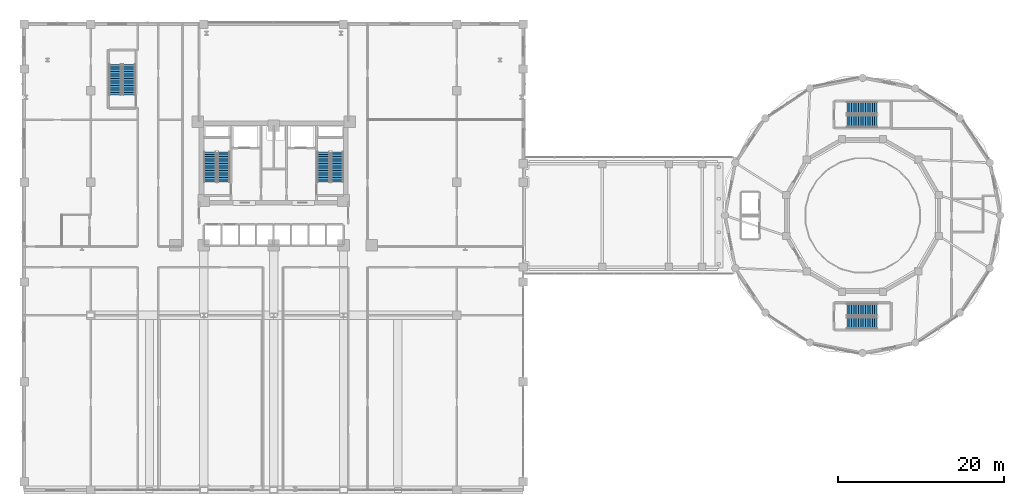
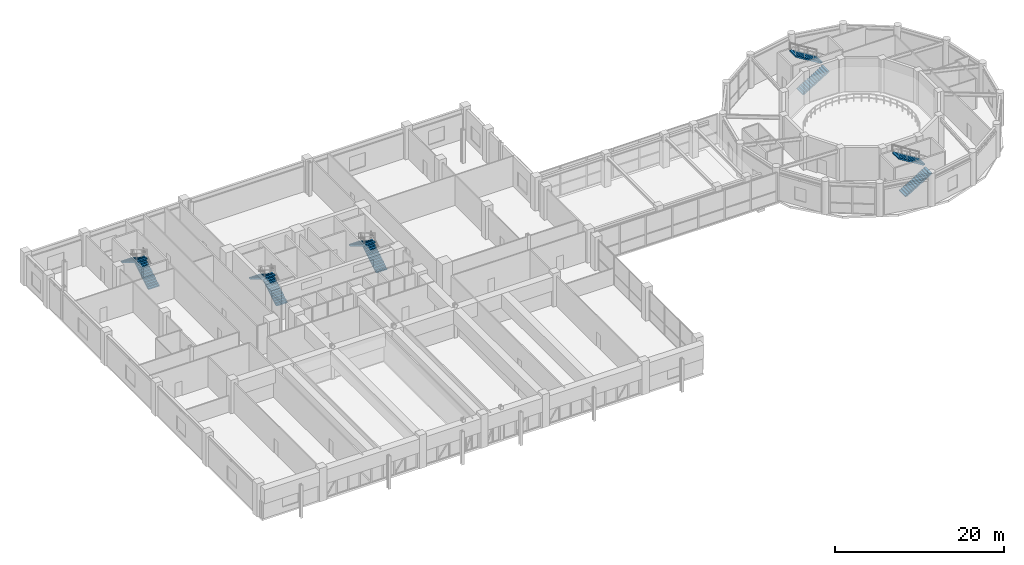
# One storey, part 35 of 44: 10 stair flights, 5 elements without a shape of their own.
"""IFC4 building model written with IfcOpenShell, lengths in metres."""

from ifc_helpers import new_model, si_unit, derived_unit, direction, frame, origin, place, context, subcontext, project, spatial, polyline, outline, extrude, material, type_object, element, aggregate, save


model = new_model("IFC4")

# Units and contexts
model_context = context("Model", 3, precision=1e-05, world=origin(), true_north=direction((0.0, 1.0)))
body_context = subcontext(model_context, "Body", "Model", "MODEL_VIEW")
ifc_project = project(units=[si_unit("LENGTHUNIT", "METRE"), si_unit("AREAUNIT", "SQUARE_METRE"), si_unit("VOLUMEUNIT", "CUBIC_METRE"), si_unit("PLANEANGLEUNIT", "RADIAN"), si_unit("MASSUNIT", "GRAM", prefix="KILO"), derived_unit("THERMALTRANSMITTANCEUNIT", [(si_unit("POWERUNIT", "WATT"), 1), (si_unit("LENGTHUNIT", "METRE"), -2), (si_unit("THERMODYNAMICTEMPERATUREUNIT", "KELVIN"), -1)])], contexts=[model_context])

# Site, building, storey
site_placement = place(None, origin())
site = spatial("IfcSite", under=ifc_project, at=site_placement, CompositionType="ELEMENT")
building_placement = place(site_placement, origin())
building = spatial("IfcBuilding", under=site, at=building_placement, Name="Korsvarv Bourse and Concert Hall", CompositionType="ELEMENT")
storey_placement = place(building_placement, frame((0.0, 0.0, 9.60009765625)))
storey = spatial("IfcBuildingStorey", under=building, at=storey_placement, Name="L02", CompositionType="ELEMENT", Elevation=9.60009765625)

# Stair, stair flights
ifc_material = material(Name="Precast concrete C45/55", Category="concrete")
stair_type_1 = type_object("IfcStairType", Name="STR-TYPE-02", PredefinedType="HALF_TURN_STAIR", material=ifc_material)
stair_1_placement = place(storey_placement, origin())
stair_1 = element("IfcStair", 1, at=stair_1_placement, inside=storey, type_object=stair_type_1, Name="L02 Tower West Exit Stair ST-T1", PredefinedType="HALF_TURN_STAIR")
stair_flight_type_1 = type_object("IfcStairFlightType", Name="FLT-TYPE-02", PredefinedType="STRAIGHT", material=ifc_material)
stair_flight_1_placement = place(storey_placement, frame((30.010009765625, 40.0, 0.0), z_axis=(0.0, 0.0, 1.0), x_axis=(0.0, 1.0, 0.0)))
stair_flight_1 = element("IfcStairFlight", 2, at=stair_flight_1_placement, type_object=stair_flight_type_1, Name="ST-T1 flight 1", NumberOfRisers=14, NumberOfTreads=13, PredefinedType="STRAIGHT", RiserHeight=0.171428571, TreadLength=0.28, context=body_context, shape_type="SweptSolid", body=[
    extrude(outline(polyline([(0.0, 0.0), (0.0, 0.17138671875), (0.280029296875, 0.17138671875), (0.280029296875, 0.3427734375), (0.56005859375, 0.3427734375), (0.56005859375, 0.514404296875), (0.840087890625, 0.514404296875), (0.840087890625, 0.685791015625), (1.1201171875, 0.685791015625), (1.1201171875, 0.857177734375), (1.39990234375, 0.857177734375), (1.39990234375, 1.028564453125), (1.679931640625, 1.028564453125), (1.679931640625, 1.199951171875), (1.9599609375, 1.199951171875), (1.9599609375, 1.371337890625), (2.239990234375, 1.371337890625), (2.239990234375, 1.54296875), (2.52001953125, 1.54296875), (2.52001953125, 1.71435546875), (2.800048828125, 1.71435546875), (2.800048828125, 1.8857421875), (3.080078125, 1.8857421875), (3.080078125, 2.05712890625), (3.360107421875, 2.05712890625), (3.360107421875, 2.228515625), (3.639892578125, 2.228515625), (3.639892578125, 2.39990234375), (3.639892578125, 2.052734375), (0.287109375, 0.0), (0.0, 0.0)])), frame((0.0, 0.75, 0.0), z_axis=(0.0, -1.0, 0.0), x_axis=(1.0, 0.0, 0.0)), (0.0, 0.0, 1.0), 1.5),
])
stair_flight_2_placement = place(storey_placement, frame((28.35009765625, 43.639892578125, 2.39990234375), z_axis=(0.0, 0.0, 1.0), x_axis=(0.0, -1.0, 0.0)))
stair_flight_2 = element("IfcStairFlight", 3, at=stair_flight_2_placement, type_object=stair_flight_type_1, Name="ST-T1 flight 2", NumberOfRisers=14, NumberOfTreads=13, PredefinedType="STRAIGHT", RiserHeight=0.171428571, TreadLength=0.28, context=body_context, shape_type="SweptSolid", body=[
    extrude(outline(polyline([(0.0, 0.0), (0.0, 0.17138671875), (0.280029296875, 0.17138671875), (0.280029296875, 0.3427734375), (0.56005859375, 0.3427734375), (0.56005859375, 0.514404296875), (0.840087890625, 0.514404296875), (0.840087890625, 0.685791015625), (1.1201171875, 0.685791015625), (1.1201171875, 0.857177734375), (1.39990234375, 0.857177734375), (1.39990234375, 1.028564453125), (1.679931640625, 1.028564453125), (1.679931640625, 1.199951171875), (1.9599609375, 1.199951171875), (1.9599609375, 1.371337890625), (2.239990234375, 1.371337890625), (2.239990234375, 1.54296875), (2.52001953125, 1.54296875), (2.52001953125, 1.71435546875), (2.800048828125, 1.71435546875), (2.800048828125, 1.8857421875), (3.080078125, 1.8857421875), (3.080078125, 2.05712890625), (3.360107421875, 2.05712890625), (3.360107421875, 2.228515625), (3.639892578125, 2.228515625), (3.639892578125, 2.39990234375), (3.639892578125, 2.052734375), (0.287109375, 0.0), (0.0, 0.0)])), frame((0.0, 0.75, 0.0), z_axis=(0.0, -1.0, 0.0), x_axis=(1.0, 0.0, 0.0)), (0.0, 0.0, 1.0), 1.5),
])
aggregate(stair_1, [stair_flight_1, stair_flight_2])

stair_2_placement = place(storey_placement, origin())
stair_2 = element("IfcStair", 4, at=stair_2_placement, inside=storey, type_object=stair_type_1, Name="L02 Tower East Exit Stair ST-T2", PredefinedType="HALF_TURN_STAIR")
stair_flight_3_placement = place(storey_placement, frame((43.64990234375, 40.0, 0.0), z_axis=(0.0, 0.0, 1.0), x_axis=(0.0, 1.0, 0.0)))
stair_flight_3 = element("IfcStairFlight", 5, at=stair_flight_3_placement, type_object=stair_flight_type_1, Name="ST-T2 flight 1", NumberOfRisers=14, NumberOfTreads=13, PredefinedType="STRAIGHT", RiserHeight=0.171428571, TreadLength=0.28, context=body_context, shape_type="SweptSolid", body=[
    extrude(outline(polyline([(0.0, 0.0), (0.0, 0.17138671875), (0.280029296875, 0.17138671875), (0.280029296875, 0.3427734375), (0.56005859375, 0.3427734375), (0.56005859375, 0.514404296875), (0.840087890625, 0.514404296875), (0.840087890625, 0.685791015625), (1.1201171875, 0.685791015625), (1.1201171875, 0.857177734375), (1.39990234375, 0.857177734375), (1.39990234375, 1.028564453125), (1.679931640625, 1.028564453125), (1.679931640625, 1.199951171875), (1.9599609375, 1.199951171875), (1.9599609375, 1.371337890625), (2.239990234375, 1.371337890625), (2.239990234375, 1.54296875), (2.52001953125, 1.54296875), (2.52001953125, 1.71435546875), (2.800048828125, 1.71435546875), (2.800048828125, 1.8857421875), (3.080078125, 1.8857421875), (3.080078125, 2.05712890625), (3.360107421875, 2.05712890625), (3.360107421875, 2.228515625), (3.639892578125, 2.228515625), (3.639892578125, 2.39990234375), (3.639892578125, 2.052734375), (0.287109375, 0.0), (0.0, 0.0)])), frame((0.0, 0.75, 0.0), z_axis=(0.0, -1.0, 0.0), x_axis=(1.0, 0.0, 0.0)), (0.0, 0.0, 1.0), 1.5),
])
stair_flight_4_placement = place(storey_placement, frame((41.989990234375, 43.639892578125, 2.39990234375), z_axis=(0.0, 0.0, 1.0), x_axis=(0.0, -1.0, 0.0)))
stair_flight_4 = element("IfcStairFlight", 6, at=stair_flight_4_placement, type_object=stair_flight_type_1, Name="ST-T2 flight 2", NumberOfRisers=14, NumberOfTreads=13, PredefinedType="STRAIGHT", RiserHeight=0.171428571, TreadLength=0.28, context=body_context, shape_type="SweptSolid", body=[
    extrude(outline(polyline([(0.0, 0.0), (0.0, 0.17138671875), (0.280029296875, 0.17138671875), (0.280029296875, 0.3427734375), (0.56005859375, 0.3427734375), (0.56005859375, 0.514404296875), (0.840087890625, 0.514404296875), (0.840087890625, 0.685791015625), (1.1201171875, 0.685791015625), (1.1201171875, 0.857177734375), (1.39990234375, 0.857177734375), (1.39990234375, 1.028564453125), (1.679931640625, 1.028564453125), (1.679931640625, 1.199951171875), (1.9599609375, 1.199951171875), (1.9599609375, 1.371337890625), (2.239990234375, 1.371337890625), (2.239990234375, 1.54296875), (2.52001953125, 1.54296875), (2.52001953125, 1.71435546875), (2.800048828125, 1.71435546875), (2.800048828125, 1.8857421875), (3.080078125, 1.8857421875), (3.080078125, 2.05712890625), (3.360107421875, 2.05712890625), (3.360107421875, 2.228515625), (3.639892578125, 2.228515625), (3.639892578125, 2.39990234375), (3.639892578125, 2.052734375), (0.287109375, 0.0), (0.0, 0.0)])), frame((0.0, 0.75, 0.0), z_axis=(0.0, -1.0, 0.0), x_axis=(1.0, 0.0, 0.0)), (0.0, 0.0, 1.0), 1.5),
])
aggregate(stair_2, [stair_flight_3, stair_flight_4])

stair_3_placement = place(storey_placement, origin())
stair_3 = element("IfcStair", 7, at=stair_3_placement, inside=storey, type_object=stair_type_1, Name="L02 Exchange Podium Grand Stair ST-PD1", PredefinedType="HALF_TURN_STAIR")
stair_flight_5_placement = place(storey_placement, frame((18.610107421875, 50.5, 0.0), z_axis=(0.0, 0.0, 1.0), x_axis=(0.0, 1.0, 0.0)))
stair_flight_5 = element("IfcStairFlight", 8, at=stair_flight_5_placement, type_object=stair_flight_type_1, Name="ST-PD1 flight 1", NumberOfRisers=14, NumberOfTreads=13, PredefinedType="STRAIGHT", RiserHeight=0.171428571, TreadLength=0.28, context=body_context, shape_type="SweptSolid", body=[
    extrude(outline(polyline([(0.0, 0.0), (0.0, 0.17138671875), (0.280029296875, 0.17138671875), (0.280029296875, 0.3427734375), (0.56005859375, 0.3427734375), (0.56005859375, 0.514404296875), (0.840087890625, 0.514404296875), (0.840087890625, 0.685791015625), (1.1201171875, 0.685791015625), (1.1201171875, 0.857177734375), (1.39990234375, 0.857177734375), (1.39990234375, 1.028564453125), (1.679931640625, 1.028564453125), (1.679931640625, 1.199951171875), (1.9599609375, 1.199951171875), (1.9599609375, 1.371337890625), (2.239990234375, 1.371337890625), (2.239990234375, 1.54296875), (2.52001953125, 1.54296875), (2.52001953125, 1.71435546875), (2.800048828125, 1.71435546875), (2.800048828125, 1.8857421875), (3.080078125, 1.8857421875), (3.080078125, 2.05712890625), (3.360107421875, 2.05712890625), (3.360107421875, 2.228515625), (3.639892578125, 2.228515625), (3.639892578125, 2.39990234375), (3.639892578125, 2.052734375), (0.287109375, 0.0), (0.0, 0.0)])), frame((0.0, 0.75, 0.0), z_axis=(0.0, -1.0, 0.0), x_axis=(1.0, 0.0, 0.0)), (0.0, 0.0, 1.0), 1.5),
])
stair_flight_6_placement = place(storey_placement, frame((16.949951171875, 54.139892578125, 2.39990234375), z_axis=(0.0, 0.0, 1.0), x_axis=(0.0, -1.0, 0.0)))
stair_flight_6 = element("IfcStairFlight", 9, at=stair_flight_6_placement, type_object=stair_flight_type_1, Name="ST-PD1 flight 2", NumberOfRisers=14, NumberOfTreads=13, PredefinedType="STRAIGHT", RiserHeight=0.171428571, TreadLength=0.28, context=body_context, shape_type="SweptSolid", body=[
    extrude(outline(polyline([(0.0, 0.0), (0.0, 0.17138671875), (0.280029296875, 0.17138671875), (0.280029296875, 0.3427734375), (0.56005859375, 0.3427734375), (0.56005859375, 0.514404296875), (0.840087890625, 0.514404296875), (0.840087890625, 0.685791015625), (1.1201171875, 0.685791015625), (1.1201171875, 0.857177734375), (1.39990234375, 0.857177734375), (1.39990234375, 1.028564453125), (1.679931640625, 1.028564453125), (1.679931640625, 1.199951171875), (1.9599609375, 1.199951171875), (1.9599609375, 1.371337890625), (2.239990234375, 1.371337890625), (2.239990234375, 1.54296875), (2.52001953125, 1.54296875), (2.52001953125, 1.71435546875), (2.800048828125, 1.71435546875), (2.800048828125, 1.8857421875), (3.080078125, 1.8857421875), (3.080078125, 2.05712890625), (3.360107421875, 2.05712890625), (3.360107421875, 2.228515625), (3.639892578125, 2.228515625), (3.639892578125, 2.39990234375), (3.639892578125, 2.052734375), (0.287109375, 0.0), (0.0, 0.0)])), frame((0.0, 0.75, 0.0), z_axis=(0.0, -1.0, 0.0), x_axis=(1.0, 0.0, 0.0)), (0.0, 0.0, 1.0), 1.5),
])
aggregate(stair_3, [stair_flight_5, stair_flight_6])

stair_type_2 = type_object("IfcStairType", Name="STR-TYPE-07", PredefinedType="HALF_TURN_STAIR", material=ifc_material)
stair_4_placement = place(storey_placement, origin())
stair_4 = element("IfcStair", 10, at=stair_4_placement, inside=storey, type_object=stair_type_2, Name="L02 Concert Hall North Exit Stair ST-CH1", PredefinedType="HALF_TURN_STAIR")
stair_flight_type_2 = type_object("IfcStairFlightType", Name="FLT-TYPE-07", PredefinedType="STRAIGHT", material=ifc_material)
stair_flight_7_placement = place(storey_placement, frame((104.89990234375, 47.324951171875, 0.0), z_axis=(0.0, 0.0, 1.0), x_axis=(1.0, 0.0, 0.0)))
stair_flight_7 = element("IfcStairFlight", 11, at=stair_flight_7_placement, type_object=stair_flight_type_2, Name="ST-CH1 flight 1", NumberOfRisers=14, NumberOfTreads=13, PredefinedType="STRAIGHT", RiserHeight=0.171428571, TreadLength=0.28, context=body_context, shape_type="SweptSolid", body=[
    extrude(outline(polyline([(0.0, 0.0), (0.0, 0.17138671875), (0.280029296875, 0.17138671875), (0.280029296875, 0.3427734375), (0.56005859375, 0.3427734375), (0.56005859375, 0.514404296875), (0.840087890625, 0.514404296875), (0.840087890625, 0.685791015625), (1.1201171875, 0.685791015625), (1.1201171875, 0.857177734375), (1.39990234375, 0.857177734375), (1.39990234375, 1.028564453125), (1.679931640625, 1.028564453125), (1.679931640625, 1.199951171875), (1.9599609375, 1.199951171875), (1.9599609375, 1.371337890625), (2.239990234375, 1.371337890625), (2.239990234375, 1.54296875), (2.52001953125, 1.54296875), (2.52001953125, 1.71435546875), (2.800048828125, 1.71435546875), (2.800048828125, 1.8857421875), (3.080078125, 1.8857421875), (3.080078125, 2.05712890625), (3.360107421875, 2.05712890625), (3.360107421875, 2.228515625), (3.639892578125, 2.228515625), (3.639892578125, 2.39990234375), (3.639892578125, 2.052734375), (0.287109375, 0.0), (0.0, 0.0)])), frame((0.0, 0.72509765625, 0.0), z_axis=(0.0, -1.0, 0.0), x_axis=(1.0, 0.0, 0.0)), (0.0, 0.0, 1.0), 1.449951171875),
])
stair_flight_8_placement = place(storey_placement, frame((108.5400390625, 48.93505859375, 2.39990234375), z_axis=(0.0, 0.0, 1.0), x_axis=(-1.0, 0.0, 0.0)))
stair_flight_8 = element("IfcStairFlight", 12, at=stair_flight_8_placement, type_object=stair_flight_type_2, Name="ST-CH1 flight 2", NumberOfRisers=14, NumberOfTreads=13, PredefinedType="STRAIGHT", RiserHeight=0.171428571, TreadLength=0.28, context=body_context, shape_type="SweptSolid", body=[
    extrude(outline(polyline([(0.0, 0.0), (0.0, 0.17138671875), (0.280029296875, 0.17138671875), (0.280029296875, 0.3427734375), (0.56005859375, 0.3427734375), (0.56005859375, 0.514404296875), (0.840087890625, 0.514404296875), (0.840087890625, 0.685791015625), (1.1201171875, 0.685791015625), (1.1201171875, 0.857177734375), (1.39990234375, 0.857177734375), (1.39990234375, 1.028564453125), (1.679931640625, 1.028564453125), (1.679931640625, 1.199951171875), (1.9599609375, 1.199951171875), (1.9599609375, 1.371337890625), (2.239990234375, 1.371337890625), (2.239990234375, 1.54296875), (2.52001953125, 1.54296875), (2.52001953125, 1.71435546875), (2.800048828125, 1.71435546875), (2.800048828125, 1.8857421875), (3.080078125, 1.8857421875), (3.080078125, 2.05712890625), (3.360107421875, 2.05712890625), (3.360107421875, 2.228515625), (3.639892578125, 2.228515625), (3.639892578125, 2.39990234375), (3.639892578125, 2.052734375), (0.287109375, 0.0), (0.0, 0.0)])), frame((0.0, 0.72509765625, 0.0), z_axis=(0.0, -1.0, 0.0), x_axis=(1.0, 0.0, 0.0)), (0.0, 0.0, 1.0), 1.449951171875),
])
aggregate(stair_4, [stair_flight_7, stair_flight_8])

stair_5_placement = place(storey_placement, origin())
stair_5 = element("IfcStair", 13, at=stair_5_placement, inside=storey, type_object=stair_type_2, Name="L02 Concert Hall South Exit Stair ST-CH2", PredefinedType="HALF_TURN_STAIR")
stair_flight_9_placement = place(storey_placement, frame((104.89990234375, 23.06494140625, 0.0), z_axis=(0.0, 0.0, 1.0), x_axis=(1.0, 0.0, 0.0)))
stair_flight_9 = element("IfcStairFlight", 14, at=stair_flight_9_placement, type_object=stair_flight_type_2, Name="ST-CH2 flight 1", NumberOfRisers=14, NumberOfTreads=13, PredefinedType="STRAIGHT", RiserHeight=0.171428571, TreadLength=0.28, context=body_context, shape_type="SweptSolid", body=[
    extrude(outline(polyline([(0.0, 0.0), (0.0, 0.17138671875), (0.280029296875, 0.17138671875), (0.280029296875, 0.3427734375), (0.56005859375, 0.3427734375), (0.56005859375, 0.514404296875), (0.840087890625, 0.514404296875), (0.840087890625, 0.685791015625), (1.1201171875, 0.685791015625), (1.1201171875, 0.857177734375), (1.39990234375, 0.857177734375), (1.39990234375, 1.028564453125), (1.679931640625, 1.028564453125), (1.679931640625, 1.199951171875), (1.9599609375, 1.199951171875), (1.9599609375, 1.371337890625), (2.239990234375, 1.371337890625), (2.239990234375, 1.54296875), (2.52001953125, 1.54296875), (2.52001953125, 1.71435546875), (2.800048828125, 1.71435546875), (2.800048828125, 1.8857421875), (3.080078125, 1.8857421875), (3.080078125, 2.05712890625), (3.360107421875, 2.05712890625), (3.360107421875, 2.228515625), (3.639892578125, 2.228515625), (3.639892578125, 2.39990234375), (3.639892578125, 2.052734375), (0.287109375, 0.0), (0.0, 0.0)])), frame((0.0, 0.72509765625, 0.0), z_axis=(0.0, -1.0, 0.0), x_axis=(1.0, 0.0, 0.0)), (0.0, 0.0, 1.0), 1.449951171875),
])
stair_flight_10_placement = place(storey_placement, frame((108.5400390625, 24.675048828125, 2.39990234375), z_axis=(0.0, 0.0, 1.0), x_axis=(-1.0, 0.0, 0.0)))
stair_flight_10 = element("IfcStairFlight", 15, at=stair_flight_10_placement, type_object=stair_flight_type_2, Name="ST-CH2 flight 2", NumberOfRisers=14, NumberOfTreads=13, PredefinedType="STRAIGHT", RiserHeight=0.171428571, TreadLength=0.28, context=body_context, shape_type="SweptSolid", body=[
    extrude(outline(polyline([(0.0, 0.0), (0.0, 0.17138671875), (0.280029296875, 0.17138671875), (0.280029296875, 0.3427734375), (0.56005859375, 0.3427734375), (0.56005859375, 0.514404296875), (0.840087890625, 0.514404296875), (0.840087890625, 0.685791015625), (1.1201171875, 0.685791015625), (1.1201171875, 0.857177734375), (1.39990234375, 0.857177734375), (1.39990234375, 1.028564453125), (1.679931640625, 1.028564453125), (1.679931640625, 1.199951171875), (1.9599609375, 1.199951171875), (1.9599609375, 1.371337890625), (2.239990234375, 1.371337890625), (2.239990234375, 1.54296875), (2.52001953125, 1.54296875), (2.52001953125, 1.71435546875), (2.800048828125, 1.71435546875), (2.800048828125, 1.8857421875), (3.080078125, 1.8857421875), (3.080078125, 2.05712890625), (3.360107421875, 2.05712890625), (3.360107421875, 2.228515625), (3.639892578125, 2.228515625), (3.639892578125, 2.39990234375), (3.639892578125, 2.052734375), (0.287109375, 0.0), (0.0, 0.0)])), frame((0.0, 0.72509765625, 0.0), z_axis=(0.0, -1.0, 0.0), x_axis=(1.0, 0.0, 0.0)), (0.0, 0.0, 1.0), 1.449951171875),
])
aggregate(stair_5, [stair_flight_9, stair_flight_10])

save(model, "model.ifc")
